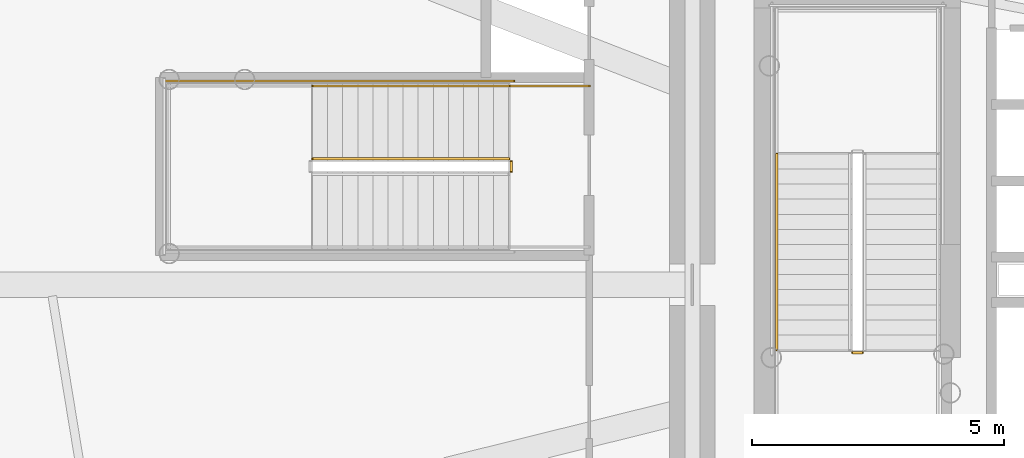
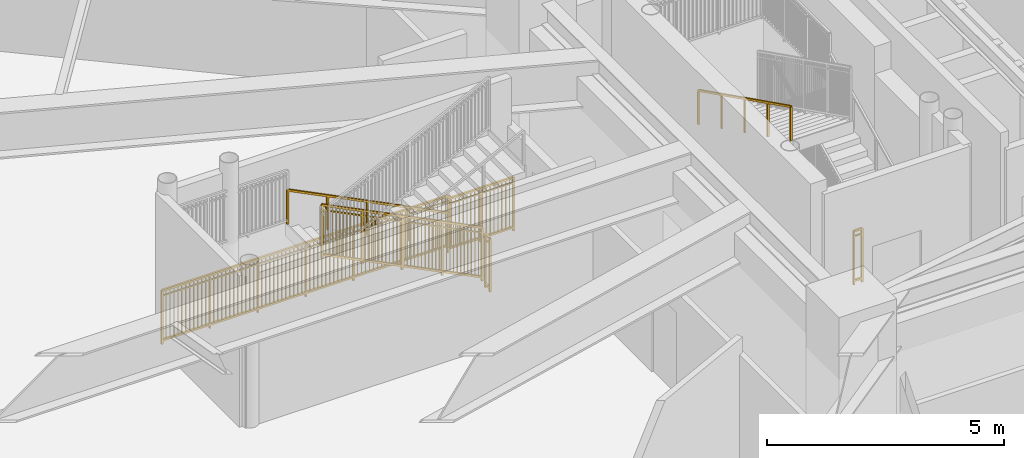
# One storey, part 20 of 27: 7 railings.
"""IFC4 building model written with IfcOpenShell, lengths in metres."""

from ifc_helpers import new_model, si_unit, direction, frame, origin, origin_2d, place, context, subcontext, project, spatial, rectangle, extrude, source, transform, mapped, material, type_object, element, save


model = new_model("IFC4")

# Units and contexts
model_context = context("Model", 3, precision=1e-05, world=origin(), true_north=direction((0.0, 1.0)))
body_context = subcontext(model_context, "Body", "Model", "MODEL_VIEW")
ifc_project = project(units=[si_unit("LENGTHUNIT", "METRE"), si_unit("AREAUNIT", "SQUARE_METRE"), si_unit("VOLUMEUNIT", "CUBIC_METRE"), si_unit("PLANEANGLEUNIT", "RADIAN"), si_unit("MASSUNIT", "GRAM", prefix="KILO")], contexts=[model_context])

# Site, building, storey
site_placement = place(None, origin())
site = spatial("IfcSite", under=ifc_project, at=site_placement, CompositionType="ELEMENT")
building_placement = place(site_placement, origin())
building = spatial("IfcBuilding", under=site, at=building_placement, Name="Linh Dai School and Residence Tower", CompositionType="ELEMENT")
storey_placement = place(building_placement, frame((0.0, 0.0, 22.800048828125)))
storey = spatial("IfcBuildingStorey", under=building, at=storey_placement, Name="L05", CompositionType="ELEMENT", Elevation=22.800048828125)

# Railings
ifc_material_1 = material(Name="Structural Steel S355JR", Category="steel")
railing_type_1 = type_object("IfcRailingType", Name="RL-ST-GUARD-1400", PredefinedType="GUARDRAIL", material=ifc_material_1)
shared_shape_1 = source(origin(), body_context, "Body", "SweptSolid", [
    extrude(rectangle(XDim=0.048095703125, YDim=0.048095703125, at=origin_2d()), frame((0.0, 0.0, 1.3759765625), z_axis=(-1.0, 0.0, 0.0), x_axis=(0.0, -1.0, 0.0)), (0.0, 0.0, 1.0), 0.199951171875),
    extrude(rectangle(XDim=0.048095703125, YDim=0.048095703125, at=origin_2d()), frame((0.0, 0.0, 0.10009765625), z_axis=(-1.0, 0.0, 0.0), x_axis=(0.0, -1.0, 0.0)), (0.0, 0.0, 1.0), 0.199951171875),
    extrude(rectangle(XDim=0.030029296875, YDim=0.030029296875, at=origin_2d()), frame((0.0, 0.0, 1.239990234375), z_axis=(-1.0, 0.0, 0.0), x_axis=(0.0, -1.0, 0.0)), (0.0, 0.0, 1.0), 0.199951171875),
    extrude(rectangle(XDim=0.0419921875, YDim=0.0419921875, at=origin_2d()), origin(), (0.0, 0.0, 1.0), 1.3759765625),
    extrude(rectangle(XDim=0.0419921875, YDim=0.0419921875, at=origin_2d()), frame((-0.199951171875, 0.0, 0.0)), (0.0, 0.0, 1.0), 1.3759765625),
])
railing_1_placement = place(storey_placement, frame((29.429931640625, 25.64990234375, 0.0)))
element("IfcRailing", 1, at=railing_1_placement, inside=storey, type_object=railing_type_1, Name="L05 ST1 stair guard 7", PredefinedType="GUARDRAIL", context=body_context, shape_type="MappedRepresentation", body=[
    mapped(shared_shape_1, transform((0.0, 0.0, 0.0), x_axis=(1.0, 0.0, 0.0), y_axis=(0.0, 1.0, 0.0), z_axis=(0.0, 0.0, 1.0), scale=1.0)),
])
ifc_material_2 = material(Name="Brushed Stainless Steel Handrail", Category="steel")
railing_type_2 = type_object("IfcRailingType", Name="RL-ST-HANDRAIL-900", PredefinedType="HANDRAIL", material=ifc_material_2)
shared_shape_2 = source(origin(), body_context, "Body", "SweptSolid", [
    extrude(rectangle(XDim=0.048095703125, YDim=0.048095703125, at=origin_2d()), frame((0.0, 0.0, 0.8759765625), z_axis=(0.0, -0.894438388696, 0.447191199406), x_axis=(1.0, 0.0, 0.0)), (0.0, 0.0, 1.0), 4.3603515625),
    extrude(rectangle(XDim=0.0419921875, YDim=0.0419921875, at=origin_2d()), origin(), (0.0, 0.0, 1.0), 0.8759765625),
    extrude(rectangle(XDim=0.0419921875, YDim=0.0419921875, at=origin_2d()), frame((0.0, -0.97509765625, 0.487548828125)), (0.0, 0.0, 1.0), 0.8759765625),
    extrude(rectangle(XDim=0.0419921875, YDim=0.0419921875, at=origin_2d()), frame((0.0, -1.9501953125, 0.97509765625)), (0.0, 0.0, 1.0), 0.8759765625),
    extrude(rectangle(XDim=0.0419921875, YDim=0.0419921875, at=origin_2d()), frame((0.0, -2.925048828125, 1.46240234375)), (0.0, 0.0, 1.0), 0.8759765625),
    extrude(rectangle(XDim=0.0419921875, YDim=0.0419921875, at=origin_2d()), frame((0.0, -3.900146484375, 1.949951171875)), (0.0, 0.0, 1.0), 0.8759765625),
])
railing_2_placement = place(storey_placement, frame((27.72998046875, 29.60009765625, 2.25)))
element("IfcRailing", 2, at=railing_2_placement, inside=storey, type_object=railing_type_2, Name="L05 ST1 stair handrail 2", PredefinedType="HANDRAIL", context=body_context, shape_type="MappedRepresentation", body=[
    mapped(shared_shape_2, transform((0.0, 0.0, 0.0), x_axis=(1.0, 0.0, 0.0), y_axis=(0.0, 1.0, 0.0), z_axis=(0.0, 0.0, 1.0), scale=1.0)),
])
shared_shape_3 = source(origin(), body_context, "Body", "SweptSolid", [
    extrude(rectangle(XDim=0.048095703125, YDim=0.048095703125, at=origin_2d()), frame((0.0, 0.0, 1.3759765625), z_axis=(0.0, -1.0, 0.0), x_axis=(1.0, 0.0, 0.0)), (0.0, 0.0, 1.0), 0.199951171875),
    extrude(rectangle(XDim=0.048095703125, YDim=0.048095703125, at=origin_2d()), frame((0.0, 0.0, 0.10009765625), z_axis=(0.0, -1.0, 0.0), x_axis=(1.0, 0.0, 0.0)), (0.0, 0.0, 1.0), 0.199951171875),
    extrude(rectangle(XDim=0.030029296875, YDim=0.030029296875, at=origin_2d()), frame((0.0, 0.0, 1.239990234375), z_axis=(0.0, -1.0, 0.0), x_axis=(1.0, 0.0, 0.0)), (0.0, 0.0, 1.0), 0.199951171875),
    extrude(rectangle(XDim=0.0419921875, YDim=0.0419921875, at=origin_2d()), origin(), (0.0, 0.0, 1.0), 1.3759765625),
    extrude(rectangle(XDim=0.0419921875, YDim=0.0419921875, at=origin_2d()), frame((0.0, -0.199951171875, 0.0)), (0.0, 0.0, 1.0), 1.3759765625),
])
railing_3_placement = place(storey_placement, frame((22.449951171875, 29.449951171875, 0.0)))
element("IfcRailing", 3, at=railing_3_placement, inside=storey, type_object=railing_type_1, Name="L05 STS1 stair guard 7", PredefinedType="GUARDRAIL", context=body_context, shape_type="MappedRepresentation", body=[
    mapped(shared_shape_3, transform((0.0, 0.0, 0.0), x_axis=(1.0, 0.0, 0.0), y_axis=(0.0, 1.0, 0.0), z_axis=(0.0, 0.0, 1.0), scale=1.0)),
])
shared_shape_4 = source(origin(), body_context, "Body", "SweptSolid", [
    extrude(rectangle(XDim=0.048095703125, YDim=0.048095703125, at=origin_2d()), frame((0.0, 0.0, 1.3759765625), z_axis=(-1.0, 0.0, 0.0), x_axis=(0.0, -1.0, 0.0)), (0.0, 0.0, 1.0), 1.60009765625),
    extrude(rectangle(XDim=0.048095703125, YDim=0.048095703125, at=origin_2d()), frame((0.0, 0.0, 0.10009765625), z_axis=(-1.0, 0.0, 0.0), x_axis=(0.0, -1.0, 0.0)), (0.0, 0.0, 1.0), 1.60009765625),
    extrude(rectangle(XDim=0.030029296875, YDim=0.030029296875, at=origin_2d()), frame((0.0, 0.0, 1.239990234375), z_axis=(-1.0, 0.0, 0.0), x_axis=(0.0, -1.0, 0.0)), (0.0, 0.0, 1.0), 1.60009765625),
    extrude(rectangle(XDim=0.02001953125, YDim=0.02001953125, at=origin_2d()), frame((-0.09423828125, 0.0, 0.10009765625)), (0.0, 0.0, 1.0), 1.251708984375),
    extrude(rectangle(XDim=0.02001953125, YDim=0.02001953125, at=origin_2d()), frame((-0.188232421875, 0.0, 0.10009765625)), (0.0, 0.0, 1.0), 1.251708984375),
    extrude(rectangle(XDim=0.02001953125, YDim=0.02001953125, at=origin_2d()), frame((-0.282470703125, 0.0, 0.10009765625)), (0.0, 0.0, 1.0), 1.251708984375),
    extrude(rectangle(XDim=0.02001953125, YDim=0.02001953125, at=origin_2d()), frame((-0.37646484375, 0.0, 0.10009765625)), (0.0, 0.0, 1.0), 1.251708984375),
    extrude(rectangle(XDim=0.02001953125, YDim=0.02001953125, at=origin_2d()), frame((-0.470703125, 0.0, 0.10009765625)), (0.0, 0.0, 1.0), 1.251708984375),
    extrude(rectangle(XDim=0.02001953125, YDim=0.02001953125, at=origin_2d()), frame((-0.564697265625, 0.0, 0.10009765625)), (0.0, 0.0, 1.0), 1.251708984375),
    extrude(rectangle(XDim=0.02001953125, YDim=0.02001953125, at=origin_2d()), frame((-0.658935546875, 0.0, 0.10009765625)), (0.0, 0.0, 1.0), 1.251708984375),
    extrude(rectangle(XDim=0.02001953125, YDim=0.02001953125, at=origin_2d()), frame((-0.7529296875, 0.0, 0.10009765625)), (0.0, 0.0, 1.0), 1.251708984375),
    extrude(rectangle(XDim=0.02001953125, YDim=0.02001953125, at=origin_2d()), frame((-0.84716796875, 0.0, 0.10009765625)), (0.0, 0.0, 1.0), 1.251708984375),
    extrude(rectangle(XDim=0.02001953125, YDim=0.02001953125, at=origin_2d()), frame((-0.941162109375, 0.0, 0.10009765625)), (0.0, 0.0, 1.0), 1.251708984375),
    extrude(rectangle(XDim=0.02001953125, YDim=0.02001953125, at=origin_2d()), frame((-1.035400390625, 0.0, 0.10009765625)), (0.0, 0.0, 1.0), 1.251708984375),
    extrude(rectangle(XDim=0.02001953125, YDim=0.02001953125, at=origin_2d()), frame((-1.12939453125, 0.0, 0.10009765625)), (0.0, 0.0, 1.0), 1.251708984375),
    extrude(rectangle(XDim=0.02001953125, YDim=0.02001953125, at=origin_2d()), frame((-1.2236328125, 0.0, 0.10009765625)), (0.0, 0.0, 1.0), 1.251708984375),
    extrude(rectangle(XDim=0.02001953125, YDim=0.02001953125, at=origin_2d()), frame((-1.317626953125, 0.0, 0.10009765625)), (0.0, 0.0, 1.0), 1.251708984375),
    extrude(rectangle(XDim=0.02001953125, YDim=0.02001953125, at=origin_2d()), frame((-1.411865234375, 0.0, 0.10009765625)), (0.0, 0.0, 1.0), 1.251708984375),
    extrude(rectangle(XDim=0.02001953125, YDim=0.02001953125, at=origin_2d()), frame((-1.505859375, 0.0, 0.10009765625)), (0.0, 0.0, 1.0), 1.251708984375),
    extrude(rectangle(XDim=0.0419921875, YDim=0.0419921875, at=origin_2d()), origin(), (0.0, 0.0, 1.0), 1.3759765625),
    extrude(rectangle(XDim=0.0419921875, YDim=0.0419921875, at=origin_2d()), frame((-0.800048828125, 0.0, 0.0)), (0.0, 0.0, 1.0), 1.3759765625),
    extrude(rectangle(XDim=0.0419921875, YDim=0.0419921875, at=origin_2d()), frame((-1.60009765625, 0.0, 0.0)), (0.0, 0.0, 1.0), 1.3759765625),
])
railing_4_placement = place(storey_placement, frame((24.0, 30.949951171875, 0.0)))
element("IfcRailing", 4, at=railing_4_placement, inside=storey, type_object=railing_type_1, Name="L05 STS1 stair guard 8", PredefinedType="GUARDRAIL", context=body_context, shape_type="MappedRepresentation", body=[
    mapped(shared_shape_4, transform((0.0, 0.0, 0.0), x_axis=(1.0, 0.0, 0.0), y_axis=(0.0, 1.0, 0.0), z_axis=(0.0, 0.0, 1.0), scale=1.0)),
])
shared_shape_5 = source(origin(), body_context, "Body", "SweptSolid", [
    extrude(rectangle(XDim=0.048095703125, YDim=0.048095703125, at=origin_2d()), frame((0.0, 0.0, 1.3759765625), z_axis=(-1.0, 0.0, 0.0), x_axis=(0.0, -1.0, 0.0)), (0.0, 0.0, 1.0), 7.0),
    extrude(rectangle(XDim=0.048095703125, YDim=0.048095703125, at=origin_2d()), frame((0.0, 0.0, 0.10009765625), z_axis=(-1.0, 0.0, 0.0), x_axis=(0.0, -1.0, 0.0)), (0.0, 0.0, 1.0), 7.0),
    extrude(rectangle(XDim=0.030029296875, YDim=0.030029296875, at=origin_2d()), frame((0.0, 0.0, 1.239990234375), z_axis=(-1.0, 0.0, 0.0), x_axis=(0.0, -1.0, 0.0)), (0.0, 0.0, 1.0), 7.0),
    extrude(rectangle(XDim=0.02001953125, YDim=0.02001953125, at=origin_2d()), frame((-0.09716796875, 0.0, 0.10009765625)), (0.0, 0.0, 1.0), 1.251708984375),
    extrude(rectangle(XDim=0.02001953125, YDim=0.02001953125, at=origin_2d()), frame((-0.1943359375, 0.0, 0.10009765625)), (0.0, 0.0, 1.0), 1.251708984375),
    extrude(rectangle(XDim=0.02001953125, YDim=0.02001953125, at=origin_2d()), frame((-0.291748046875, 0.0, 0.10009765625)), (0.0, 0.0, 1.0), 1.251708984375),
    extrude(rectangle(XDim=0.02001953125, YDim=0.02001953125, at=origin_2d()), frame((-0.388916015625, 0.0, 0.10009765625)), (0.0, 0.0, 1.0), 1.251708984375),
    extrude(rectangle(XDim=0.02001953125, YDim=0.02001953125, at=origin_2d()), frame((-0.486083984375, 0.0, 0.10009765625)), (0.0, 0.0, 1.0), 1.251708984375),
    extrude(rectangle(XDim=0.02001953125, YDim=0.02001953125, at=origin_2d()), frame((-0.583251953125, 0.0, 0.10009765625)), (0.0, 0.0, 1.0), 1.251708984375),
    extrude(rectangle(XDim=0.02001953125, YDim=0.02001953125, at=origin_2d()), frame((-0.6806640625, 0.0, 0.10009765625)), (0.0, 0.0, 1.0), 1.251708984375),
    extrude(rectangle(XDim=0.02001953125, YDim=0.02001953125, at=origin_2d()), frame((-0.77783203125, 0.0, 0.10009765625)), (0.0, 0.0, 1.0), 1.251708984375),
    extrude(rectangle(XDim=0.02001953125, YDim=0.02001953125, at=origin_2d()), frame((-0.875, 0.0, 0.10009765625)), (0.0, 0.0, 1.0), 1.251708984375),
    extrude(rectangle(XDim=0.02001953125, YDim=0.02001953125, at=origin_2d()), frame((-0.97216796875, 0.0, 0.10009765625)), (0.0, 0.0, 1.0), 1.251708984375),
    extrude(rectangle(XDim=0.02001953125, YDim=0.02001953125, at=origin_2d()), frame((-1.0693359375, 0.0, 0.10009765625)), (0.0, 0.0, 1.0), 1.251708984375),
    extrude(rectangle(XDim=0.02001953125, YDim=0.02001953125, at=origin_2d()), frame((-1.263916015625, 0.0, 0.10009765625)), (0.0, 0.0, 1.0), 1.251708984375),
    extrude(rectangle(XDim=0.02001953125, YDim=0.02001953125, at=origin_2d()), frame((-1.361083984375, 0.0, 0.10009765625)), (0.0, 0.0, 1.0), 1.251708984375),
    extrude(rectangle(XDim=0.02001953125, YDim=0.02001953125, at=origin_2d()), frame((-1.458251953125, 0.0, 0.10009765625)), (0.0, 0.0, 1.0), 1.251708984375),
    extrude(rectangle(XDim=0.02001953125, YDim=0.02001953125, at=origin_2d()), frame((-1.5556640625, 0.0, 0.10009765625)), (0.0, 0.0, 1.0), 1.251708984375),
    extrude(rectangle(XDim=0.02001953125, YDim=0.02001953125, at=origin_2d()), frame((-1.65283203125, 0.0, 0.10009765625)), (0.0, 0.0, 1.0), 1.251708984375),
    extrude(rectangle(XDim=0.02001953125, YDim=0.02001953125, at=origin_2d()), frame((-1.75, 0.0, 0.10009765625)), (0.0, 0.0, 1.0), 1.251708984375),
    extrude(rectangle(XDim=0.02001953125, YDim=0.02001953125, at=origin_2d()), frame((-1.84716796875, 0.0, 0.10009765625)), (0.0, 0.0, 1.0), 1.251708984375),
    extrude(rectangle(XDim=0.02001953125, YDim=0.02001953125, at=origin_2d()), frame((-1.9443359375, 0.0, 0.10009765625)), (0.0, 0.0, 1.0), 1.251708984375),
    extrude(rectangle(XDim=0.02001953125, YDim=0.02001953125, at=origin_2d()), frame((-2.041748046875, 0.0, 0.10009765625)), (0.0, 0.0, 1.0), 1.251708984375),
    extrude(rectangle(XDim=0.02001953125, YDim=0.02001953125, at=origin_2d()), frame((-2.138916015625, 0.0, 0.10009765625)), (0.0, 0.0, 1.0), 1.251708984375),
    extrude(rectangle(XDim=0.02001953125, YDim=0.02001953125, at=origin_2d()), frame((-2.236083984375, 0.0, 0.10009765625)), (0.0, 0.0, 1.0), 1.251708984375),
    extrude(rectangle(XDim=0.02001953125, YDim=0.02001953125, at=origin_2d()), frame((-2.4306640625, 0.0, 0.10009765625)), (0.0, 0.0, 1.0), 1.251708984375),
    extrude(rectangle(XDim=0.02001953125, YDim=0.02001953125, at=origin_2d()), frame((-2.52783203125, 0.0, 0.10009765625)), (0.0, 0.0, 1.0), 1.251708984375),
    extrude(rectangle(XDim=0.02001953125, YDim=0.02001953125, at=origin_2d()), frame((-2.625, 0.0, 0.10009765625)), (0.0, 0.0, 1.0), 1.251708984375),
    extrude(rectangle(XDim=0.02001953125, YDim=0.02001953125, at=origin_2d()), frame((-2.72216796875, 0.0, 0.10009765625)), (0.0, 0.0, 1.0), 1.251708984375),
    extrude(rectangle(XDim=0.02001953125, YDim=0.02001953125, at=origin_2d()), frame((-2.8193359375, 0.0, 0.10009765625)), (0.0, 0.0, 1.0), 1.251708984375),
    extrude(rectangle(XDim=0.02001953125, YDim=0.02001953125, at=origin_2d()), frame((-2.916748046875, 0.0, 0.10009765625)), (0.0, 0.0, 1.0), 1.251708984375),
    extrude(rectangle(XDim=0.02001953125, YDim=0.02001953125, at=origin_2d()), frame((-3.013916015625, 0.0, 0.10009765625)), (0.0, 0.0, 1.0), 1.251708984375),
    extrude(rectangle(XDim=0.02001953125, YDim=0.02001953125, at=origin_2d()), frame((-3.111083984375, 0.0, 0.10009765625)), (0.0, 0.0, 1.0), 1.251708984375),
    extrude(rectangle(XDim=0.02001953125, YDim=0.02001953125, at=origin_2d()), frame((-3.208251953125, 0.0, 0.10009765625)), (0.0, 0.0, 1.0), 1.251708984375),
    extrude(rectangle(XDim=0.02001953125, YDim=0.02001953125, at=origin_2d()), frame((-3.3056640625, 0.0, 0.10009765625)), (0.0, 0.0, 1.0), 1.251708984375),
    extrude(rectangle(XDim=0.02001953125, YDim=0.02001953125, at=origin_2d()), frame((-3.40283203125, 0.0, 0.10009765625)), (0.0, 0.0, 1.0), 1.251708984375),
    extrude(rectangle(XDim=0.02001953125, YDim=0.02001953125, at=origin_2d()), frame((-3.59716796875, 0.0, 0.10009765625)), (0.0, 0.0, 1.0), 1.251708984375),
    extrude(rectangle(XDim=0.02001953125, YDim=0.02001953125, at=origin_2d()), frame((-3.6943359375, 0.0, 0.10009765625)), (0.0, 0.0, 1.0), 1.251708984375),
    extrude(rectangle(XDim=0.02001953125, YDim=0.02001953125, at=origin_2d()), frame((-3.791748046875, 0.0, 0.10009765625)), (0.0, 0.0, 1.0), 1.251708984375),
    extrude(rectangle(XDim=0.02001953125, YDim=0.02001953125, at=origin_2d()), frame((-3.888916015625, 0.0, 0.10009765625)), (0.0, 0.0, 1.0), 1.251708984375),
    extrude(rectangle(XDim=0.02001953125, YDim=0.02001953125, at=origin_2d()), frame((-3.986083984375, 0.0, 0.10009765625)), (0.0, 0.0, 1.0), 1.251708984375),
    extrude(rectangle(XDim=0.02001953125, YDim=0.02001953125, at=origin_2d()), frame((-4.083251953125, 0.0, 0.10009765625)), (0.0, 0.0, 1.0), 1.251708984375),
    extrude(rectangle(XDim=0.02001953125, YDim=0.02001953125, at=origin_2d()), frame((-4.1806640625, 0.0, 0.10009765625)), (0.0, 0.0, 1.0), 1.251708984375),
    extrude(rectangle(XDim=0.02001953125, YDim=0.02001953125, at=origin_2d()), frame((-4.27783203125, 0.0, 0.10009765625)), (0.0, 0.0, 1.0), 1.251708984375),
    extrude(rectangle(XDim=0.02001953125, YDim=0.02001953125, at=origin_2d()), frame((-4.375, 0.0, 0.10009765625)), (0.0, 0.0, 1.0), 1.251708984375),
    extrude(rectangle(XDim=0.02001953125, YDim=0.02001953125, at=origin_2d()), frame((-4.47216796875, 0.0, 0.10009765625)), (0.0, 0.0, 1.0), 1.251708984375),
    extrude(rectangle(XDim=0.02001953125, YDim=0.02001953125, at=origin_2d()), frame((-4.5693359375, 0.0, 0.10009765625)), (0.0, 0.0, 1.0), 1.251708984375),
    extrude(rectangle(XDim=0.02001953125, YDim=0.02001953125, at=origin_2d()), frame((-4.763916015625, 0.0, 0.10009765625)), (0.0, 0.0, 1.0), 1.251708984375),
    extrude(rectangle(XDim=0.02001953125, YDim=0.02001953125, at=origin_2d()), frame((-4.861083984375, 0.0, 0.10009765625)), (0.0, 0.0, 1.0), 1.251708984375),
    extrude(rectangle(XDim=0.02001953125, YDim=0.02001953125, at=origin_2d()), frame((-4.958251953125, 0.0, 0.10009765625)), (0.0, 0.0, 1.0), 1.251708984375),
    extrude(rectangle(XDim=0.02001953125, YDim=0.02001953125, at=origin_2d()), frame((-5.0556640625, 0.0, 0.10009765625)), (0.0, 0.0, 1.0), 1.251708984375),
    extrude(rectangle(XDim=0.02001953125, YDim=0.02001953125, at=origin_2d()), frame((-5.15283203125, 0.0, 0.10009765625)), (0.0, 0.0, 1.0), 1.251708984375),
    extrude(rectangle(XDim=0.02001953125, YDim=0.02001953125, at=origin_2d()), frame((-5.25, 0.0, 0.10009765625)), (0.0, 0.0, 1.0), 1.251708984375),
    extrude(rectangle(XDim=0.02001953125, YDim=0.02001953125, at=origin_2d()), frame((-5.34716796875, 0.0, 0.10009765625)), (0.0, 0.0, 1.0), 1.251708984375),
    extrude(rectangle(XDim=0.02001953125, YDim=0.02001953125, at=origin_2d()), frame((-5.4443359375, 0.0, 0.10009765625)), (0.0, 0.0, 1.0), 1.251708984375),
    extrude(rectangle(XDim=0.02001953125, YDim=0.02001953125, at=origin_2d()), frame((-5.541748046875, 0.0, 0.10009765625)), (0.0, 0.0, 1.0), 1.251708984375),
    extrude(rectangle(XDim=0.02001953125, YDim=0.02001953125, at=origin_2d()), frame((-5.638916015625, 0.0, 0.10009765625)), (0.0, 0.0, 1.0), 1.251708984375),
    extrude(rectangle(XDim=0.02001953125, YDim=0.02001953125, at=origin_2d()), frame((-5.736083984375, 0.0, 0.10009765625)), (0.0, 0.0, 1.0), 1.251708984375),
    extrude(rectangle(XDim=0.02001953125, YDim=0.02001953125, at=origin_2d()), frame((-5.9306640625, 0.0, 0.10009765625)), (0.0, 0.0, 1.0), 1.251708984375),
    extrude(rectangle(XDim=0.02001953125, YDim=0.02001953125, at=origin_2d()), frame((-6.02783203125, 0.0, 0.10009765625)), (0.0, 0.0, 1.0), 1.251708984375),
    extrude(rectangle(XDim=0.02001953125, YDim=0.02001953125, at=origin_2d()), frame((-6.125, 0.0, 0.10009765625)), (0.0, 0.0, 1.0), 1.251708984375),
    extrude(rectangle(XDim=0.02001953125, YDim=0.02001953125, at=origin_2d()), frame((-6.22216796875, 0.0, 0.10009765625)), (0.0, 0.0, 1.0), 1.251708984375),
    extrude(rectangle(XDim=0.02001953125, YDim=0.02001953125, at=origin_2d()), frame((-6.3193359375, 0.0, 0.10009765625)), (0.0, 0.0, 1.0), 1.251708984375),
    extrude(rectangle(XDim=0.02001953125, YDim=0.02001953125, at=origin_2d()), frame((-6.416748046875, 0.0, 0.10009765625)), (0.0, 0.0, 1.0), 1.251708984375),
    extrude(rectangle(XDim=0.02001953125, YDim=0.02001953125, at=origin_2d()), frame((-6.513916015625, 0.0, 0.10009765625)), (0.0, 0.0, 1.0), 1.251708984375),
    extrude(rectangle(XDim=0.02001953125, YDim=0.02001953125, at=origin_2d()), frame((-6.611083984375, 0.0, 0.10009765625)), (0.0, 0.0, 1.0), 1.251708984375),
    extrude(rectangle(XDim=0.02001953125, YDim=0.02001953125, at=origin_2d()), frame((-6.708251953125, 0.0, 0.10009765625)), (0.0, 0.0, 1.0), 1.251708984375),
    extrude(rectangle(XDim=0.02001953125, YDim=0.02001953125, at=origin_2d()), frame((-6.8056640625, 0.0, 0.10009765625)), (0.0, 0.0, 1.0), 1.251708984375),
    extrude(rectangle(XDim=0.02001953125, YDim=0.02001953125, at=origin_2d()), frame((-6.90283203125, 0.0, 0.10009765625)), (0.0, 0.0, 1.0), 1.251708984375),
    extrude(rectangle(XDim=0.0419921875, YDim=0.0419921875, at=origin_2d()), origin(), (0.0, 0.0, 1.0), 1.3759765625),
    extrude(rectangle(XDim=0.0419921875, YDim=0.0419921875, at=origin_2d()), frame((-1.166748046875, 0.0, 0.0)), (0.0, 0.0, 1.0), 1.3759765625),
    extrude(rectangle(XDim=0.0419921875, YDim=0.0419921875, at=origin_2d()), frame((-2.333251953125, 0.0, 0.0)), (0.0, 0.0, 1.0), 1.3759765625),
    extrude(rectangle(XDim=0.0419921875, YDim=0.0419921875, at=origin_2d()), frame((-3.5, 0.0, 0.0)), (0.0, 0.0, 1.0), 1.3759765625),
    extrude(rectangle(XDim=0.0419921875, YDim=0.0419921875, at=origin_2d()), frame((-4.666748046875, 0.0, 0.0)), (0.0, 0.0, 1.0), 1.3759765625),
    extrude(rectangle(XDim=0.0419921875, YDim=0.0419921875, at=origin_2d()), frame((-5.833251953125, 0.0, 0.0)), (0.0, 0.0, 1.0), 1.3759765625),
    extrude(rectangle(XDim=0.0419921875, YDim=0.0419921875, at=origin_2d()), frame((-7.0, 0.0, 0.0)), (0.0, 0.0, 1.0), 1.3759765625),
])
railing_5_placement = place(storey_placement, frame((22.5, 31.050048828125, 0.0)))
element("IfcRailing", 5, at=railing_5_placement, inside=storey, type_object=railing_type_1, Name="L05 STS1 stair guard 10", PredefinedType="GUARDRAIL", context=body_context, shape_type="MappedRepresentation", body=[
    mapped(shared_shape_5, transform((0.0, 0.0, 0.0), x_axis=(1.0, 0.0, 0.0), y_axis=(0.0, 1.0, 0.0), z_axis=(0.0, 0.0, 1.0), scale=1.0)),
])
shared_shape_6 = source(origin(), body_context, "Body", "SweptSolid", [
    extrude(rectangle(XDim=0.048095703125, YDim=0.048095703125, at=origin_2d()), frame((0.0, 0.0, 1.3759765625), z_axis=(-0.894427191, 0.0, 0.4472135955), x_axis=(0.0, -1.0, 0.0)), (0.0, 0.0, 1.0), 4.360107421875),
    extrude(rectangle(XDim=0.048095703125, YDim=0.048095703125, at=origin_2d()), frame((0.0, 0.0, 0.10009765625), z_axis=(-0.894427191, 0.0, 0.4472135955), x_axis=(0.0, -1.0, 0.0)), (0.0, 0.0, 1.0), 4.360107421875),
    extrude(rectangle(XDim=0.030029296875, YDim=0.030029296875, at=origin_2d()), frame((0.0, 0.0, 1.239990234375), z_axis=(-0.894427191, 0.0, 0.4472135955), x_axis=(0.0, -1.0, 0.0)), (0.0, 0.0, 1.0), 4.360107421875),
    extrude(rectangle(XDim=0.02001953125, YDim=0.02001953125, at=origin_2d()), frame((-0.086669921875, 0.0, 0.143310546875)), (0.0, 0.0, 1.0), 1.251708984375),
    extrude(rectangle(XDim=0.02001953125, YDim=0.02001953125, at=origin_2d()), frame((-0.17333984375, 0.0, 0.186767578125)), (0.0, 0.0, 1.0), 1.251708984375),
    extrude(rectangle(XDim=0.02001953125, YDim=0.02001953125, at=origin_2d()), frame((-0.260009765625, 0.0, 0.22998046875)), (0.0, 0.0, 1.0), 1.251708984375),
    extrude(rectangle(XDim=0.02001953125, YDim=0.02001953125, at=origin_2d()), frame((-0.3466796875, 0.0, 0.2734375)), (0.0, 0.0, 1.0), 1.251708984375),
    extrude(rectangle(XDim=0.02001953125, YDim=0.02001953125, at=origin_2d()), frame((-0.433349609375, 0.0, 0.316650390625)), (0.0, 0.0, 1.0), 1.251708984375),
    extrude(rectangle(XDim=0.02001953125, YDim=0.02001953125, at=origin_2d()), frame((-0.52001953125, 0.0, 0.360107421875)), (0.0, 0.0, 1.0), 1.251708984375),
    extrude(rectangle(XDim=0.02001953125, YDim=0.02001953125, at=origin_2d()), frame((-0.606689453125, 0.0, 0.4033203125)), (0.0, 0.0, 1.0), 1.251708984375),
    extrude(rectangle(XDim=0.02001953125, YDim=0.02001953125, at=origin_2d()), frame((-0.693359375, 0.0, 0.44677734375)), (0.0, 0.0, 1.0), 1.251708984375),
    extrude(rectangle(XDim=0.02001953125, YDim=0.02001953125, at=origin_2d()), frame((-0.780029296875, 0.0, 0.489990234375)), (0.0, 0.0, 1.0), 1.251708984375),
    extrude(rectangle(XDim=0.02001953125, YDim=0.02001953125, at=origin_2d()), frame((-0.86669921875, 0.0, 0.533447265625)), (0.0, 0.0, 1.0), 1.251708984375),
    extrude(rectangle(XDim=0.02001953125, YDim=0.02001953125, at=origin_2d()), frame((-1.0400390625, 0.0, 0.6201171875)), (0.0, 0.0, 1.0), 1.251708984375),
    extrude(rectangle(XDim=0.02001953125, YDim=0.02001953125, at=origin_2d()), frame((-1.126708984375, 0.0, 0.663330078125)), (0.0, 0.0, 1.0), 1.251708984375),
    extrude(rectangle(XDim=0.02001953125, YDim=0.02001953125, at=origin_2d()), frame((-1.21337890625, 0.0, 0.706787109375)), (0.0, 0.0, 1.0), 1.251708984375),
    extrude(rectangle(XDim=0.02001953125, YDim=0.02001953125, at=origin_2d()), frame((-1.300048828125, 0.0, 0.75)), (0.0, 0.0, 1.0), 1.251708984375),
    extrude(rectangle(XDim=0.02001953125, YDim=0.02001953125, at=origin_2d()), frame((-1.38671875, 0.0, 0.79345703125)), (0.0, 0.0, 1.0), 1.251708984375),
    extrude(rectangle(XDim=0.02001953125, YDim=0.02001953125, at=origin_2d()), frame((-1.473388671875, 0.0, 0.836669921875)), (0.0, 0.0, 1.0), 1.251708984375),
    extrude(rectangle(XDim=0.02001953125, YDim=0.02001953125, at=origin_2d()), frame((-1.56005859375, 0.0, 0.880126953125)), (0.0, 0.0, 1.0), 1.251708984375),
    extrude(rectangle(XDim=0.02001953125, YDim=0.02001953125, at=origin_2d()), frame((-1.646728515625, 0.0, 0.92333984375)), (0.0, 0.0, 1.0), 1.251708984375),
    extrude(rectangle(XDim=0.02001953125, YDim=0.02001953125, at=origin_2d()), frame((-1.7333984375, 0.0, 0.966796875)), (0.0, 0.0, 1.0), 1.251708984375),
    extrude(rectangle(XDim=0.02001953125, YDim=0.02001953125, at=origin_2d()), frame((-1.820068359375, 0.0, 1.010009765625)), (0.0, 0.0, 1.0), 1.251708984375),
    extrude(rectangle(XDim=0.02001953125, YDim=0.02001953125, at=origin_2d()), frame((-1.90673828125, 0.0, 1.053466796875)), (0.0, 0.0, 1.0), 1.251708984375),
    extrude(rectangle(XDim=0.02001953125, YDim=0.02001953125, at=origin_2d()), frame((-1.9931640625, 0.0, 1.0966796875)), (0.0, 0.0, 1.0), 1.251708984375),
    extrude(rectangle(XDim=0.02001953125, YDim=0.02001953125, at=origin_2d()), frame((-2.079833984375, 0.0, 1.14013671875)), (0.0, 0.0, 1.0), 1.251708984375),
    extrude(rectangle(XDim=0.02001953125, YDim=0.02001953125, at=origin_2d()), frame((-2.16650390625, 0.0, 1.183349609375)), (0.0, 0.0, 1.0), 1.251708984375),
    extrude(rectangle(XDim=0.02001953125, YDim=0.02001953125, at=origin_2d()), frame((-2.253173828125, 0.0, 1.226806640625)), (0.0, 0.0, 1.0), 1.251708984375),
    extrude(rectangle(XDim=0.02001953125, YDim=0.02001953125, at=origin_2d()), frame((-2.33984375, 0.0, 1.27001953125)), (0.0, 0.0, 1.0), 1.251708984375),
    extrude(rectangle(XDim=0.02001953125, YDim=0.02001953125, at=origin_2d()), frame((-2.426513671875, 0.0, 1.3134765625)), (0.0, 0.0, 1.0), 1.251708984375),
    extrude(rectangle(XDim=0.02001953125, YDim=0.02001953125, at=origin_2d()), frame((-2.51318359375, 0.0, 1.356689453125)), (0.0, 0.0, 1.0), 1.251708984375),
    extrude(rectangle(XDim=0.02001953125, YDim=0.02001953125, at=origin_2d()), frame((-2.599853515625, 0.0, 1.400146484375)), (0.0, 0.0, 1.0), 1.251708984375),
    extrude(rectangle(XDim=0.02001953125, YDim=0.02001953125, at=origin_2d()), frame((-2.6865234375, 0.0, 1.443359375)), (0.0, 0.0, 1.0), 1.251708984375),
    extrude(rectangle(XDim=0.02001953125, YDim=0.02001953125, at=origin_2d()), frame((-2.773193359375, 0.0, 1.48681640625)), (0.0, 0.0, 1.0), 1.251708984375),
    extrude(rectangle(XDim=0.02001953125, YDim=0.02001953125, at=origin_2d()), frame((-2.85986328125, 0.0, 1.530029296875)), (0.0, 0.0, 1.0), 1.251708984375),
    extrude(rectangle(XDim=0.02001953125, YDim=0.02001953125, at=origin_2d()), frame((-3.033203125, 0.0, 1.61669921875)), (0.0, 0.0, 1.0), 1.251708984375),
    extrude(rectangle(XDim=0.02001953125, YDim=0.02001953125, at=origin_2d()), frame((-3.119873046875, 0.0, 1.66015625)), (0.0, 0.0, 1.0), 1.251708984375),
    extrude(rectangle(XDim=0.02001953125, YDim=0.02001953125, at=origin_2d()), frame((-3.20654296875, 0.0, 1.703369140625)), (0.0, 0.0, 1.0), 1.251708984375),
    extrude(rectangle(XDim=0.02001953125, YDim=0.02001953125, at=origin_2d()), frame((-3.293212890625, 0.0, 1.746826171875)), (0.0, 0.0, 1.0), 1.251708984375),
    extrude(rectangle(XDim=0.02001953125, YDim=0.02001953125, at=origin_2d()), frame((-3.3798828125, 0.0, 1.7900390625)), (0.0, 0.0, 1.0), 1.251708984375),
    extrude(rectangle(XDim=0.02001953125, YDim=0.02001953125, at=origin_2d()), frame((-3.466552734375, 0.0, 1.83349609375)), (0.0, 0.0, 1.0), 1.251708984375),
    extrude(rectangle(XDim=0.02001953125, YDim=0.02001953125, at=origin_2d()), frame((-3.55322265625, 0.0, 1.876708984375)), (0.0, 0.0, 1.0), 1.251708984375),
    extrude(rectangle(XDim=0.02001953125, YDim=0.02001953125, at=origin_2d()), frame((-3.639892578125, 0.0, 1.920166015625)), (0.0, 0.0, 1.0), 1.251708984375),
    extrude(rectangle(XDim=0.02001953125, YDim=0.02001953125, at=origin_2d()), frame((-3.7265625, 0.0, 1.96337890625)), (0.0, 0.0, 1.0), 1.251708984375),
    extrude(rectangle(XDim=0.02001953125, YDim=0.02001953125, at=origin_2d()), frame((-3.813232421875, 0.0, 2.0068359375)), (0.0, 0.0, 1.0), 1.251708984375),
    extrude(rectangle(XDim=0.0419921875, YDim=0.0419921875, at=origin_2d()), origin(), (0.0, 0.0, 1.0), 1.3759765625),
    extrude(rectangle(XDim=0.0419921875, YDim=0.0419921875, at=origin_2d()), frame((-0.97509765625, 0.0, 0.487548828125)), (0.0, 0.0, 1.0), 1.3759765625),
    extrude(rectangle(XDim=0.0419921875, YDim=0.0419921875, at=origin_2d()), frame((-1.949951171875, 0.0, 0.97509765625)), (0.0, 0.0, 1.0), 1.3759765625),
    extrude(rectangle(XDim=0.0419921875, YDim=0.0419921875, at=origin_2d()), frame((-2.9248046875, 0.0, 1.46240234375)), (0.0, 0.0, 1.0), 1.3759765625),
    extrude(rectangle(XDim=0.0419921875, YDim=0.0419921875, at=origin_2d()), frame((-3.89990234375, 0.0, 1.949951171875)), (0.0, 0.0, 1.0), 1.3759765625),
])
railing_6_placement = place(storey_placement, frame((22.39990234375, 29.5, 0.14990234375)))
element("IfcRailing", 6, at=railing_6_placement, inside=storey, type_object=railing_type_1, Name="L05 STS1 stair guard 1", PredefinedType="GUARDRAIL", context=body_context, shape_type="MappedRepresentation", body=[
    mapped(shared_shape_6, transform((0.0, 0.0, 0.0), x_axis=(1.0, 0.0, 0.0), y_axis=(0.0, 1.0, 0.0), z_axis=(0.0, 0.0, 1.0), scale=1.0)),
])
shared_shape_7 = source(origin(), body_context, "Body", "SweptSolid", [
    extrude(rectangle(XDim=0.048095703125, YDim=0.048095703125, at=origin_2d()), frame((0.0, 0.0, 0.8759765625), z_axis=(-0.894427191, 0.0, 0.4472135955), x_axis=(0.0, -1.0, 0.0)), (0.0, 0.0, 1.0), 4.360107421875),
    extrude(rectangle(XDim=0.0419921875, YDim=0.0419921875, at=origin_2d()), origin(), (0.0, 0.0, 1.0), 0.8759765625),
    extrude(rectangle(XDim=0.0419921875, YDim=0.0419921875, at=origin_2d()), frame((-0.97509765625, 0.0, 0.487548828125)), (0.0, 0.0, 1.0), 0.8759765625),
    extrude(rectangle(XDim=0.0419921875, YDim=0.0419921875, at=origin_2d()), frame((-1.949951171875, 0.0, 0.97509765625)), (0.0, 0.0, 1.0), 0.8759765625),
    extrude(rectangle(XDim=0.0419921875, YDim=0.0419921875, at=origin_2d()), frame((-2.9248046875, 0.0, 1.46240234375)), (0.0, 0.0, 1.0), 0.8759765625),
    extrude(rectangle(XDim=0.0419921875, YDim=0.0419921875, at=origin_2d()), frame((-3.89990234375, 0.0, 1.949951171875)), (0.0, 0.0, 1.0), 0.8759765625),
])
railing_7_placement = place(storey_placement, frame((22.39990234375, 30.949951171875, 0.14990234375)))
element("IfcRailing", 7, at=railing_7_placement, inside=storey, type_object=railing_type_2, Name="L05 STS1 stair handrail 1", PredefinedType="HANDRAIL", context=body_context, shape_type="MappedRepresentation", body=[
    mapped(shared_shape_7, transform((0.0, 0.0, 0.0), x_axis=(1.0, 0.0, 0.0), y_axis=(0.0, 1.0, 0.0), z_axis=(0.0, 0.0, 1.0), scale=1.0)),
])

save(model, "model.ifc")
